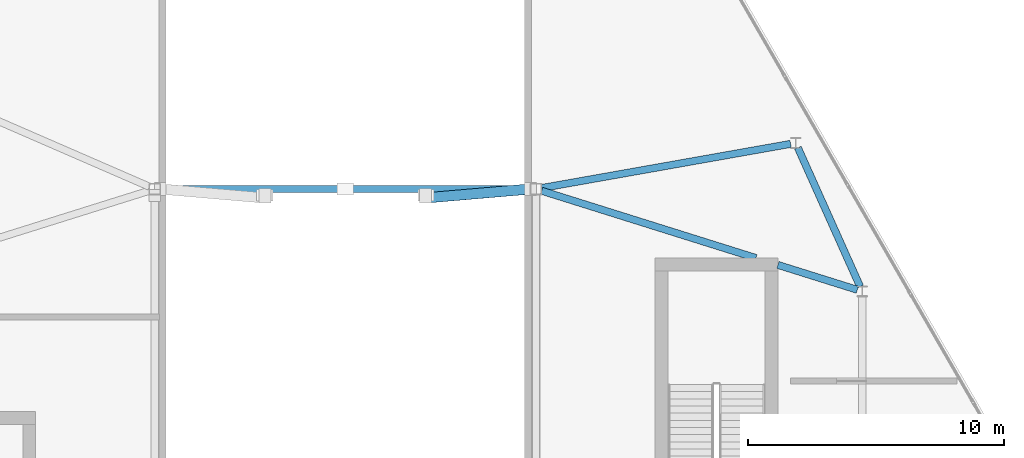
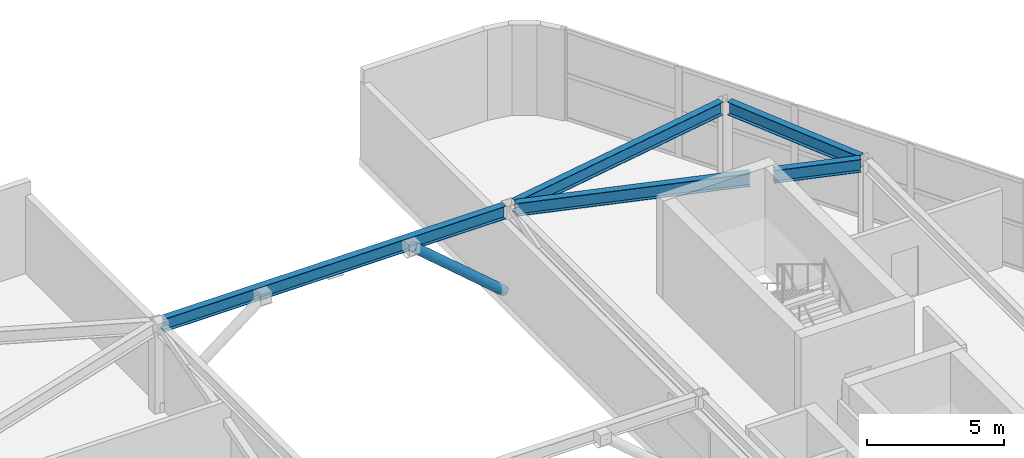
# One storey, part 11 of 16: 5 beams, 1 member.
"""IFC4 building model written with IfcOpenShell, lengths in metres."""

from ifc_helpers import new_model, si_unit, direction, frame, origin, origin_2d, place, context, subcontext, project, spatial, hollow_circle, i_section, extrude, material, material_profile, profile_set, type_object, element, save


model = new_model("IFC4")

# Units and contexts
model_context = context("Model", 3, precision=1e-05, world=origin(), true_north=direction((0.0, 1.0)))
body_context = subcontext(model_context, "Body", "Model", "MODEL_VIEW")
ifc_project = project(units=[si_unit("LENGTHUNIT", "METRE"), si_unit("AREAUNIT", "SQUARE_METRE"), si_unit("VOLUMEUNIT", "CUBIC_METRE"), si_unit("PLANEANGLEUNIT", "RADIAN"), si_unit("MASSUNIT", "GRAM", prefix="KILO")], contexts=[model_context])

# Site, building, storey
site_placement = place(None, origin())
site = spatial("IfcSite", under=ifc_project, at=site_placement, CompositionType="ELEMENT")
building_placement = place(site_placement, origin())
building = spatial("IfcBuilding", under=site, at=building_placement, Name="Zuhravey Tower", CompositionType="ELEMENT")
storey_placement = place(building_placement, frame((0.0, 0.0, 370.199951171875)))
storey = spatial("IfcBuildingStorey", under=building, at=storey_placement, Name="L94", CompositionType="ELEMENT", Elevation=370.199951171875)

# Beams
ifc_material = material(Name="Steel SM355", Category="steel")
ifc_material_profile_1 = material_profile(ifc_material, i_section(OverallWidth=0.280029296875, OverallDepth=0.580078125, WebThickness=0.011962890625, FlangeThickness=0.01904296875, at=origin_2d()), Name="H-580x280x12x19")
ifc_profile_set_1 = profile_set([ifc_material_profile_1], Name="Steel SM355")
beam_type = type_object("IfcBeamType", Name="Perimeter Ring Beam H580x280", PredefinedType="BEAM", material=ifc_profile_set_1)
beam_1_placement = place(storey_placement, frame((56.116455078125, 42.18603515625, 3.760009765625), z_axis=(-0.409053547057, 0.912510381113, 0.0), x_axis=(-0.912510381113, -0.409053547057, 0.0)))
element("IfcBeam", 1, at=beam_1_placement, inside=storey, type_object=beam_type, Name="L94 PB4 BM-L94-ECR-1-3", PredefinedType="BEAM", context=body_context, shape_type="SweptSolid", body=[
    extrude(i_section(OverallWidth=0.280029296875, OverallDepth=0.580078125, WebThickness=0.011962890625, FlangeThickness=0.01904296875, at=origin_2d()), origin(), (0.0, 0.0, 1.0), 5.9482421875),
])
beam_2_placement = place(storey_placement, frame((53.399169921875, 47.764404296875, 3.760009765625), z_axis=(-0.984637117377, -0.174613135483, 0.0), x_axis=(0.174613135483, -0.984637117377, 0.0)))
element("IfcBeam", 2, at=beam_2_placement, inside=storey, type_object=beam_type, Name="L94 PB4 BM-L94-ECR-3-6", PredefinedType="BEAM", context=body_context, shape_type="SweptSolid", body=[
    extrude(i_section(OverallWidth=0.280029296875, OverallDepth=0.580078125, WebThickness=0.011962890625, FlangeThickness=0.01904296875, at=origin_2d()), origin(), (0.0, 0.0, 1.0), 9.875244140625),
])
beam_3_placement = place(storey_placement, frame((56.00537109375, 42.06103515625, 3.760009765625), z_axis=(-0.95415195588, 0.299322643799, 0.0), x_axis=(-0.299322643799, -0.95415195588, 0.0)))
element("IfcBeam", 3, at=beam_3_placement, inside=storey, type_object=beam_type, Name="L94 PB4 BM-L94-ECR-1-6 (1)", PredefinedType="BEAM", context=body_context, shape_type="SweptSolid", body=[
    extrude(i_section(OverallWidth=0.280029296875, OverallDepth=0.580078125, WebThickness=0.011962890625, FlangeThickness=0.01904296875, at=origin_2d()), origin(), (0.0, 0.0, 1.0), 3.250244140625),
])
beam_4_placement = place(storey_placement, frame((52.04345703125, 43.303955078125, 3.760009765625), z_axis=(-0.954146799125, 0.299339081512, 0.0), x_axis=(-0.299339081512, -0.954146799125, 0.0)))
element("IfcBeam", 4, at=beam_4_placement, inside=storey, type_object=beam_type, Name="L94 PB4 BM-L94-ECR-1-6 (2)", PredefinedType="BEAM", context=body_context, shape_type="SweptSolid", body=[
    extrude(i_section(OverallWidth=0.280029296875, OverallDepth=0.580078125, WebThickness=0.011962890625, FlangeThickness=0.01904296875, at=origin_2d()), origin(), (0.0, 0.0, 1.0), 8.777587890625),
])
beam_5_placement = place(storey_placement, frame((28.780029296875, 46.0, 3.755126953125), z_axis=(1.0, 0.0, 0.0), x_axis=(0.0, 1.0, 0.0)))
element("IfcBeam", 5, at=beam_5_placement, inside=storey, type_object=beam_type, Name="L94 Wind-Portal Tie Girder PB4-3", PredefinedType="BEAM", context=body_context, shape_type="SweptSolid", body=[
    extrude(i_section(OverallWidth=0.280029296875, OverallDepth=0.580078125, WebThickness=0.011962890625, FlangeThickness=0.01904296875, at=origin_2d()), origin(), (0.0, 0.0, 1.0), 14.43994140625),
])

# Member
ifc_material_profile_2 = material_profile(ifc_material, hollow_circle(Radius=0.203125, WallThickness=0.02001953125, at=origin_2d()), Name="CHS-406.4x20")
ifc_profile_set_2 = profile_set([ifc_material_profile_2], Name="Steel SM355")
member_type = type_object("IfcMemberType", Name="Wind-Portal Arch Brace CHS406x20", PredefinedType="BRACE", material=ifc_profile_set_2)
member_placement = place(storey_placement, frame((43.219482421875, 45.999755859375, 0.181396484375), z_axis=(-0.747122272379, -0.063852005514, 0.661612599265), x_axis=(0.085153511528, -0.996367843457, 0.0)))
element("IfcMember", 6, at=member_placement, inside=storey, type_object=member_type, Name="L94 Wind-Portal Arch Brace WPB1-3E", PredefinedType="BRACE", context=body_context, shape_type="SweptSolid", body=[
    extrude(hollow_circle(Radius=0.203125, WallThickness=0.02001953125, at=origin_2d()), origin(), (0.0, 0.0, 1.0), 5.44482421875),
])

save(model, "model.ifc")
